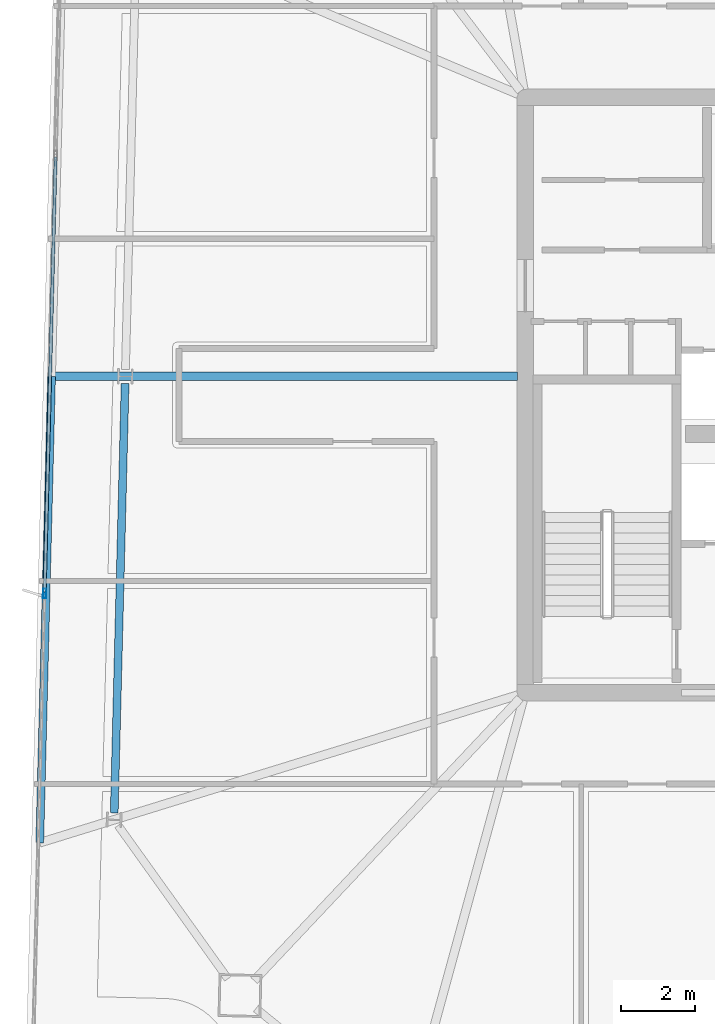
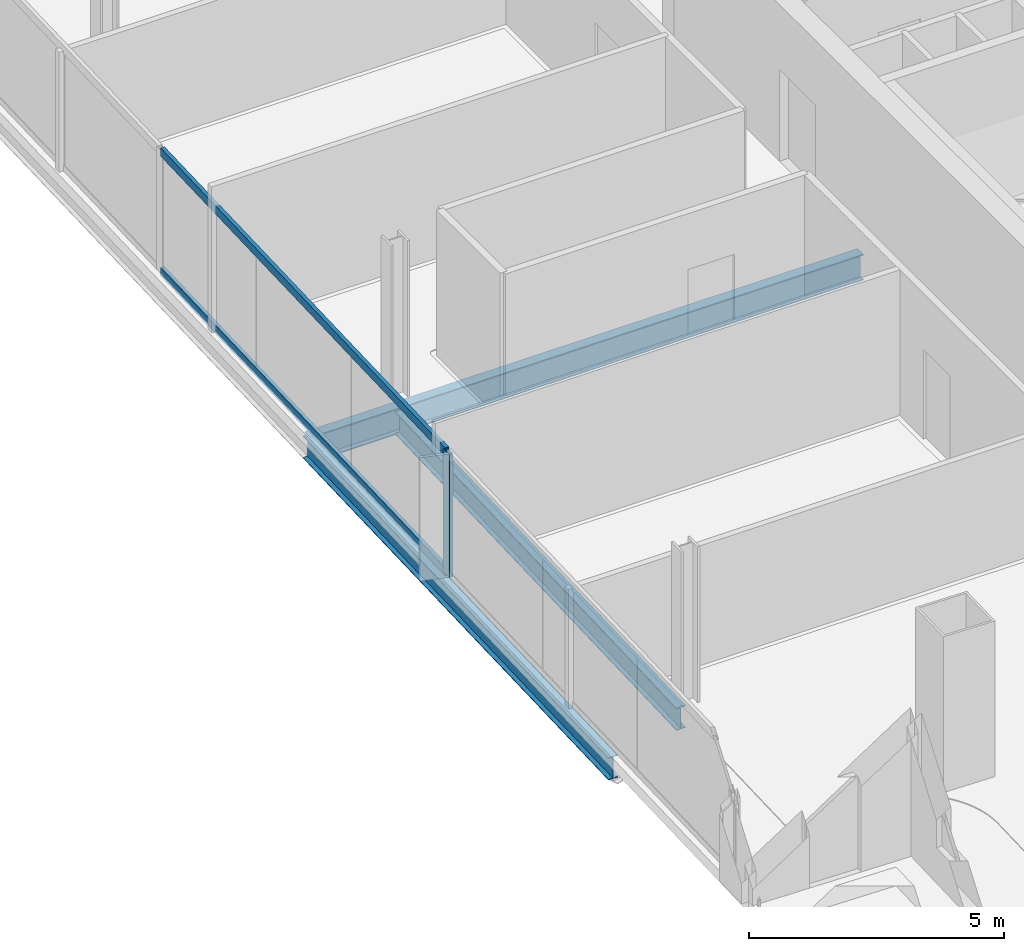
# One storey, part 6 of 25: 3 beams, 3 members, 1 element without a shape of its own.
"""IFC4 building model written with IfcOpenShell, lengths in metres."""

from ifc_helpers import new_model, si_unit, direction, frame, origin, origin_2d, place, context, subcontext, project, spatial, hollow_rectangle, i_section, extrude, material, material_profile, profile_set, type_object, element, aggregate, save


model = new_model("IFC4")

# Units and contexts
model_context = context("Model", 3, precision=1e-05, world=origin(), true_north=direction((0.0, 1.0)))
body_context = subcontext(model_context, "Body", "Model", "MODEL_VIEW")
ifc_project = project(units=[si_unit("LENGTHUNIT", "METRE"), si_unit("AREAUNIT", "SQUARE_METRE"), si_unit("VOLUMEUNIT", "CUBIC_METRE"), si_unit("PLANEANGLEUNIT", "RADIAN"), si_unit("MASSUNIT", "GRAM", prefix="KILO")], contexts=[model_context])

# Site, building, storey
site_placement = place(None, origin())
site = spatial("IfcSite", under=ifc_project, at=site_placement, CompositionType="ELEMENT")
building_placement = place(site_placement, origin())
building = spatial("IfcBuilding", under=site, at=building_placement, Name="Haldenkirk Collegiate Tower", CompositionType="ELEMENT")
storey_placement = place(building_placement, frame((0.0, 0.0, 325.199951171875)))
storey = spatial("IfcBuildingStorey", under=building, at=storey_placement, Name="L82", CompositionType="ELEMENT", Elevation=325.199951171875)

# Beams
ifc_material_1 = material(Name="Steel ASTM A992 Grade 50", Category="steel")
ifc_material_profile_1 = material_profile(ifc_material_1, i_section(OverallWidth=0.22998046875, OverallDepth=0.616943359375, WebThickness=0.01318359375, FlangeThickness=0.022216796875, at=origin_2d()), Name="W24X94")
ifc_profile_set_1 = profile_set([ifc_material_profile_1], Name="Steel ASTM A992 Grade 50")
beam_type_1 = type_object("IfcBeamType", Name="BM-GIRDER-W24X94", PredefinedType="BEAM", material=ifc_profile_set_1)
beam_1_placement = place(storey_placement, frame((14.275634765625, 26.499755859375, -0.568359375), z_axis=(1.0, 0.0, 0.0), x_axis=(0.0, 1.0, 0.0)))
element("IfcBeam", 1, at=beam_1_placement, inside=storey, type_object=beam_type_1, Name="L82 primary floor girder 12", PredefinedType="BEAM", context=body_context, shape_type="SweptSolid", body=[
    extrude(i_section(OverallWidth=0.22998046875, OverallDepth=0.616943359375, WebThickness=0.01318359375, FlangeThickness=0.022216796875, at=origin_2d()), origin(), (0.0, 0.0, 1.0), 12.519287109375),
])
ifc_material_profile_2 = material_profile(ifc_material_1, i_section(OverallWidth=0.2099609375, OverallDepth=0.537109375, WebThickness=0.010986328125, FlangeThickness=0.017333984375, at=origin_2d()), Name="W21X68")
ifc_profile_set_2 = profile_set([ifc_material_profile_2], Name="Steel ASTM A992 Grade 50")
beam_type_2 = type_object("IfcBeamType", Name="BM-SPANDREL-W21X68", PredefinedType="SPANDREL", material=ifc_profile_set_2)
beam_2_placement = place(storey_placement, frame((16.25146484375, 26.31201171875, -0.528564453125), z_axis=(-0.02528078186, -0.999680389959, 0.0), x_axis=(0.999680389959, -0.02528078186, 0.0)))
element("IfcBeam", 2, at=beam_2_placement, inside=storey, type_object=beam_type_2, Name="L82 perimeter spandrel beam 11", PredefinedType="SPANDREL", context=body_context, shape_type="SweptSolid", body=[
    extrude(i_section(OverallWidth=0.2099609375, OverallDepth=0.537109375, WebThickness=0.010986328125, FlangeThickness=0.017333984375, at=origin_2d()), origin(), (0.0, 0.0, 1.0), 11.540283203125),
])
beam_3_placement = place(storey_placement, frame((14.275634765625, 26.499755859375, -0.528564453125), z_axis=(-0.025304650261, -0.999679786069, 0.0), x_axis=(0.999679786069, -0.025304650261, 0.0)))
element("IfcBeam", 3, at=beam_3_placement, inside=storey, type_object=beam_type_2, Name="L82 outer facade edge beam 3B", PredefinedType="SPANDREL", context=body_context, shape_type="SweptSolid", body=[
    extrude(i_section(OverallWidth=0.2099609375, OverallDepth=0.537109375, WebThickness=0.010986328125, FlangeThickness=0.017333984375, at=origin_2d()), origin(), (0.0, 0.0, 1.0), 12.53271484375),
])

# Curtain wall, members
ifc_material_2 = material(Name="Anodised architectural bronze aluminium", Category="aluminium")
curtain_wall_type = type_object("IfcCurtainWallType", Name="CW-SYS1B-CONVEX-HI", PredefinedType="USERDEFINED", material=ifc_material_2)
curtain_wall_placement = place(storey_placement, origin())
curtain_wall = element("IfcCurtainWall", 4, at=curtain_wall_placement, inside=storey, type_object=curtain_wall_type, Name="L82 Upper tower high-wind convex bronze unitised curtain wall", ObjectType="UNITISED CURTAIN WALL", PredefinedType="USERDEFINED")
ifc_material_profile_3 = material_profile(ifc_material_2, hollow_rectangle(XDim=0.0849609375, YDim=0.25, WallThickness=0.0048828125, at=origin_2d()), Name="CW-MUL-1B")
ifc_profile_set_3 = profile_set([ifc_material_profile_3], Name="Anodised architectural bronze aluminium")
member_type_1 = type_object("IfcMemberType", Name="CW-MUL-1B", PredefinedType="MULLION", material=ifc_profile_set_3)
member_1_placement = place(storey_placement, frame((14.088134765625, 20.66943359375, 0.0), z_axis=(0.0, 0.0, 1.0), x_axis=(-0.99967982494, 0.025303114586, 0.0)))
member_1 = element("IfcMember", 5, at=member_1_placement, type_object=member_type_1, Name="CW-1B mullion 2", PredefinedType="MULLION", context=body_context, shape_type="SweptSolid", body=[
    extrude(hollow_rectangle(XDim=0.0849609375, YDim=0.25, WallThickness=0.0048828125, at=origin_2d()), origin(), (0.0, 0.0, 1.0), 2.947998046875),
])
ifc_material_profile_4 = material_profile(ifc_material_2, hollow_rectangle(XDim=0.0849609375, YDim=0.199951171875, WallThickness=0.0048828125, at=origin_2d()), Name="CW-TRN-1B")
ifc_profile_set_4 = profile_set([ifc_material_profile_4], Name="Anodised architectural bronze aluminium")
member_type_2 = type_object("IfcMemberType", Name="CW-TRN-1B", PredefinedType="USERDEFINED", material=ifc_profile_set_4)
member_2_placement = place(storey_placement, frame((14.089111328125, 20.7119140625, 0.04248046875), z_axis=(0.025309139784, 0.999679672417, 0.0), x_axis=(-0.999679672417, 0.025309139784, 0.0)))
member_2 = element("IfcMember", 6, at=member_2_placement, type_object=member_type_2, Name="CW-1B transom 2.1", ObjectType="TRANSOM", PredefinedType="USERDEFINED", context=body_context, shape_type="SweptSolid", body=[
    extrude(hollow_rectangle(XDim=0.0849609375, YDim=0.199951171875, WallThickness=0.0048828125, at=origin_2d()), origin(), (0.0, 0.0, 1.0), 11.681640625),
])
member_3_placement = place(storey_placement, frame((14.089111328125, 20.7119140625, 2.905517578125), z_axis=(0.025309139784, 0.999679672417, 0.0), x_axis=(-0.999679672417, 0.025309139784, 0.0)))
member_3 = element("IfcMember", 7, at=member_3_placement, type_object=member_type_2, Name="CW-1B transom 2.2", ObjectType="TRANSOM", PredefinedType="USERDEFINED", context=body_context, shape_type="SweptSolid", body=[
    extrude(hollow_rectangle(XDim=0.0849609375, YDim=0.199951171875, WallThickness=0.0048828125, at=origin_2d()), origin(), (0.0, 0.0, 1.0), 11.681640625),
])
aggregate(curtain_wall, [member_1, member_2, member_3])

save(model, "model.ifc")
